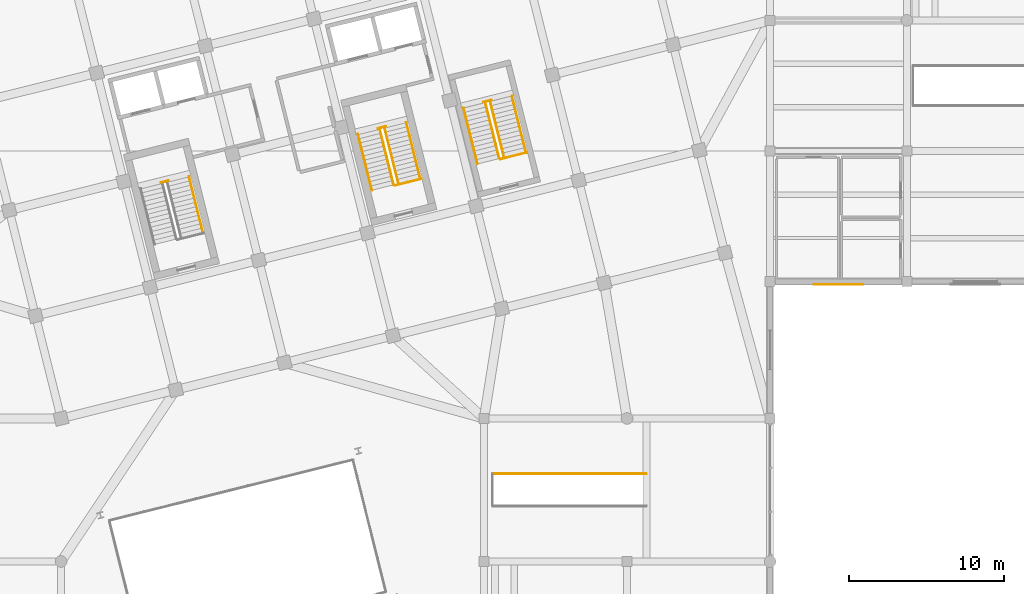
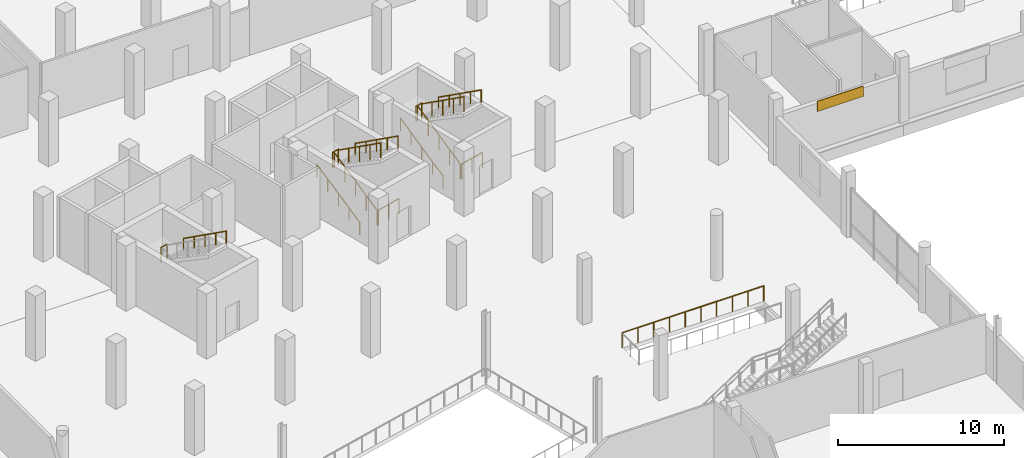
# One storey, part 69 of 71: 15 railings, 1 covering.
"""IFC4 building model written with IfcOpenShell, lengths in metres."""

from ifc_helpers import new_model, si_unit, direction, frame, origin, origin_2d, place, context, subcontext, project, spatial, rectangle, circle, extrude, material, layer, layer_set, type_object, element, save


model = new_model("IFC4")

# Units and contexts
model_context = context("Model", 3, precision=1e-05, world=origin(), true_north=direction((0.0, 1.0)))
body_context = subcontext(model_context, "Body", "Model", "MODEL_VIEW")
ifc_project = project(units=[si_unit("LENGTHUNIT", "METRE"), si_unit("AREAUNIT", "SQUARE_METRE"), si_unit("VOLUMEUNIT", "CUBIC_METRE"), si_unit("PLANEANGLEUNIT", "RADIAN"), si_unit("MASSUNIT", "GRAM", prefix="KILO")], contexts=[model_context])

# Site, building, storey
site_placement = place(None, origin())
site = spatial("IfcSite", under=ifc_project, at=site_placement, CompositionType="ELEMENT")
building_placement = place(site_placement, origin())
building = spatial("IfcBuilding", under=site, at=building_placement, Name="Meriwether Solvik Hall", CompositionType="ELEMENT")
storey_placement = place(building_placement, frame((0.0, 0.0, 5.10009765625)))
storey = spatial("IfcBuildingStorey", under=building, at=storey_placement, Name="L01", CompositionType="ELEMENT", Elevation=5.10009765625)

# Covering
ifc_material_1 = material(Name="Glazed Extruded Terracotta Ceramic", Category="masonry")
ifc_layer_1 = layer(ifc_material_1, 0.044921875)
ifc_layer_set_1 = layer_set([ifc_layer_1], Name="Glazed Extruded Terracotta Ceramic")
covering_type = type_object("IfcCoveringType", Name="COV-CLAD-TERRA", PredefinedType="CLADDING", material=ifc_layer_set_1)
covering_placement = place(storey_placement, frame((118.60009765625, 49.8125, 2.809814453125), z_axis=(0.0, 0.0, 1.0), x_axis=(-1.0, 0.0, 0.0)))
element("IfcCovering", 1, at=covering_placement, inside=storey, type_object=covering_type, Name="L01 Facade Cladding XF_13_12", PredefinedType="CLADDING", context=body_context, shape_type="SweptSolid", body=[
    extrude(rectangle(XDim=3.199951171875, YDim=0.044921875, at=origin_2d()), origin(), (0.0, 0.0, 1.0), 0.75),
])

# Railings
ifc_material_2 = material(Name="Steel A36 Galvanised", Category="steel")
ifc_layer_2 = layer(ifc_material_2, 0.054931640625)
ifc_layer_set_2 = layer_set([ifc_layer_2], Name="Steel A36 Galvanised")
railing_type_1 = type_object("IfcRailingType", Name="RAIL-STR-GUARD", PredefinedType="GUARDRAIL", material=ifc_layer_set_2)
railing_1_placement = place(storey_placement, frame((75.02099609375, 56.368896484375, 2.39990234375)))
element("IfcRailing", 2, at=railing_1_placement, inside=storey, type_object=railing_type_1, Name="Stair ST-01 Landing Guardrail (L01)", PredefinedType="GUARDRAIL", context=body_context, shape_type="SweptSolid", body=[
    extrude(circle(Radius=0.02392578125, at=origin_2d()), frame((0.0, 0.0, 1.09619140625), z_axis=(0.970228607419, 0.242190935722, 0.0), x_axis=(-0.242190935722, 0.970228607419, 0.0)), (0.0, 0.0, 1.0), 0.5),
    extrude(circle(Radius=0.02099609375, at=origin_2d()), origin(), (0.0, 0.0, 1.0), 1.072021484375),
    extrude(circle(Radius=0.02099609375, at=origin_2d()), frame((0.485107421875, 0.12109375, 0.0)), (0.0, 0.0, 1.0), 1.072021484375),
])
railing_2_placement = place(storey_placement, frame((88.9931640625, 59.8525390625, 2.39990234375)))
element("IfcRailing", 3, at=railing_2_placement, inside=storey, type_object=railing_type_1, Name="Stair ST-02 Landing Guardrail (L01)", PredefinedType="GUARDRAIL", context=body_context, shape_type="SweptSolid", body=[
    extrude(circle(Radius=0.02392578125, at=origin_2d()), frame((0.0, 0.0, 1.09619140625), z_axis=(0.970257228329, 0.242076250126, 0.0), x_axis=(-0.242076250126, 0.970257228329, 0.0)), (0.0, 0.0, 1.0), 0.500244140625),
    extrude(circle(Radius=0.02099609375, at=origin_2d()), origin(), (0.0, 0.0, 1.0), 1.072021484375),
    extrude(circle(Radius=0.02099609375, at=origin_2d()), frame((0.4853515625, 0.12109375, 0.0)), (0.0, 0.0, 1.0), 1.072021484375),
])
railing_3_placement = place(storey_placement, frame((90.064208984375, 56.177490234375, 0.0)))
element("IfcRailing", 4, at=railing_3_placement, inside=storey, type_object=railing_type_1, Name="Stair ST-02 Well Guardrail (L01)", PredefinedType="GUARDRAIL", context=body_context, shape_type="SweptSolid", body=[
    extrude(circle(Radius=0.02392578125, at=origin_2d()), frame((0.0, 0.0, 1.09619140625), z_axis=(0.970298223594, 0.241911879182, 0.0), x_axis=(-0.241911879182, 0.970298223594, 0.0)), (0.0, 0.0, 1.0), 1.75),
    extrude(circle(Radius=0.02099609375, at=origin_2d()), origin(), (0.0, 0.0, 1.0), 1.072021484375),
    extrude(circle(Radius=0.02099609375, at=origin_2d()), frame((0.84912109375, 0.211669921875, 0.0)), (0.0, 0.0, 1.0), 1.072021484375),
    extrude(circle(Radius=0.02099609375, at=origin_2d()), frame((1.697998046875, 0.42333984375, 0.0)), (0.0, 0.0, 1.0), 1.072021484375),
])
railing_4_placement = place(storey_placement, frame((89.991455078125, 56.22119140625, 0.0)))
element("IfcRailing", 5, at=railing_4_placement, inside=storey, type_object=railing_type_1, Name="Stair ST-02 Flight 1 Inner Guardrail (L01)", PredefinedType="GUARDRAIL", context=body_context, shape_type="SweptSolid", body=[
    extrude(circle(Radius=0.02392578125, at=origin_2d()), frame((0.0, 0.0, 1.09619140625), z_axis=(-0.203028258064, 0.814380577499, 0.543657798086), x_axis=(-0.970301214675, -0.241899881771, 0.0)), (0.0, 0.0, 1.0), 4.414306640625),
    extrude(circle(Radius=0.02099609375, at=origin_2d()), origin(), (0.0, 0.0, 1.0), 1.072021484375),
    extrude(circle(Radius=0.02099609375, at=origin_2d()), frame((-0.22412109375, 0.898681640625, 0.60009765625)), (0.0, 0.0, 1.0), 1.072021484375),
    extrude(circle(Radius=0.02099609375, at=origin_2d()), frame((-0.4482421875, 1.79736328125, 1.199951171875)), (0.0, 0.0, 1.0), 1.072021484375),
    extrude(circle(Radius=0.02099609375, at=origin_2d()), frame((-0.672119140625, 2.6962890625, 1.7998046875)), (0.0, 0.0, 1.0), 1.072021484375),
    extrude(circle(Radius=0.02099609375, at=origin_2d()), frame((-0.896240234375, 3.594970703125, 2.39990234375)), (0.0, 0.0, 1.0), 1.072021484375),
])
railing_5_placement = place(storey_placement, frame((89.405517578125, 59.8935546875, 2.39990234375)))
element("IfcRailing", 6, at=railing_5_placement, inside=storey, type_object=railing_type_1, Name="Stair ST-02 Flight 2 Inner Guardrail (L01)", PredefinedType="GUARDRAIL", context=body_context, shape_type="SweptSolid", body=[
    extrude(circle(Radius=0.02392578125, at=origin_2d()), frame((0.0, 0.0, 1.09619140625), z_axis=(0.203081283414, -0.814371431991, 0.543651692799), x_axis=(0.970285746386, 0.241961919235, 0.0)), (0.0, 0.0, 1.0), 4.414306640625),
    extrude(circle(Radius=0.02099609375, at=origin_2d()), origin(), (0.0, 0.0, 1.0), 1.072021484375),
    extrude(circle(Radius=0.02099609375, at=origin_2d()), frame((0.22412109375, -0.898681640625, 0.60009765625)), (0.0, 0.0, 1.0), 1.072021484375),
    extrude(circle(Radius=0.02099609375, at=origin_2d()), frame((0.4482421875, -1.79736328125, 1.199951171875)), (0.0, 0.0, 1.0), 1.072021484375),
    extrude(circle(Radius=0.02099609375, at=origin_2d()), frame((0.67236328125, -2.6962890625, 1.7998046875)), (0.0, 0.0, 1.0), 1.072021484375),
    extrude(circle(Radius=0.02099609375, at=origin_2d()), frame((0.896484375, -3.594970703125, 2.39990234375)), (0.0, 0.0, 1.0), 1.072021484375),
])
railing_6_placement = place(storey_placement, frame((95.785400390625, 61.546142578125, 2.39990234375)))
element("IfcRailing", 7, at=railing_6_placement, inside=storey, type_object=railing_type_1, Name="Stair ST-03 Landing Guardrail (L01)", PredefinedType="GUARDRAIL", context=body_context, shape_type="SweptSolid", body=[
    extrude(circle(Radius=0.02392578125, at=origin_2d()), frame((0.0, 0.0, 1.09619140625), z_axis=(0.970343250308, 0.241731207299, 0.0), x_axis=(-0.241731207299, 0.970343250308, 0.0)), (0.0, 0.0, 1.0), 0.5),
    extrude(circle(Radius=0.02099609375, at=origin_2d()), origin(), (0.0, 0.0, 1.0), 1.072021484375),
    extrude(circle(Radius=0.02099609375, at=origin_2d()), frame((0.485107421875, 0.120849609375, 0.0)), (0.0, 0.0, 1.0), 1.072021484375),
])
railing_7_placement = place(storey_placement, frame((96.856201171875, 57.87109375, 0.0)))
element("IfcRailing", 8, at=railing_7_placement, inside=storey, type_object=railing_type_1, Name="Stair ST-03 Well Guardrail (L01)", PredefinedType="GUARDRAIL", context=body_context, shape_type="SweptSolid", body=[
    extrude(circle(Radius=0.02392578125, at=origin_2d()), frame((0.0, 0.0, 1.09619140625), z_axis=(0.970298223594, 0.241911879182, 0.0), x_axis=(-0.241911879182, 0.970298223594, 0.0)), (0.0, 0.0, 1.0), 1.75),
    extrude(circle(Radius=0.02099609375, at=origin_2d()), origin(), (0.0, 0.0, 1.0), 1.072021484375),
    extrude(circle(Radius=0.02099609375, at=origin_2d()), frame((0.84912109375, 0.211669921875, 0.0)), (0.0, 0.0, 1.0), 1.072021484375),
    extrude(circle(Radius=0.02099609375, at=origin_2d()), frame((1.697998046875, 0.42333984375, 0.0)), (0.0, 0.0, 1.0), 1.072021484375),
])
railing_8_placement = place(storey_placement, frame((96.783447265625, 57.914794921875, 0.0)))
element("IfcRailing", 9, at=railing_8_placement, inside=storey, type_object=railing_type_1, Name="Stair ST-03 Flight 1 Inner Guardrail (L01)", PredefinedType="GUARDRAIL", context=body_context, shape_type="SweptSolid", body=[
    extrude(circle(Radius=0.02392578125, at=origin_2d()), frame((0.0, 0.0, 1.09619140625), z_axis=(-0.203028258064, 0.814380577499, 0.543657798086), x_axis=(-0.970301214675, -0.241899881771, 0.0)), (0.0, 0.0, 1.0), 4.414306640625),
    extrude(circle(Radius=0.02099609375, at=origin_2d()), origin(), (0.0, 0.0, 1.0), 1.072021484375),
    extrude(circle(Radius=0.02099609375, at=origin_2d()), frame((-0.22412109375, 0.898681640625, 0.60009765625)), (0.0, 0.0, 1.0), 1.072021484375),
    extrude(circle(Radius=0.02099609375, at=origin_2d()), frame((-0.4482421875, 1.79736328125, 1.199951171875)), (0.0, 0.0, 1.0), 1.072021484375),
    extrude(circle(Radius=0.02099609375, at=origin_2d()), frame((-0.672119140625, 2.6962890625, 1.7998046875)), (0.0, 0.0, 1.0), 1.072021484375),
    extrude(circle(Radius=0.02099609375, at=origin_2d()), frame((-0.896240234375, 3.594970703125, 2.39990234375)), (0.0, 0.0, 1.0), 1.072021484375),
])
railing_9_placement = place(storey_placement, frame((96.19775390625, 61.587158203125, 2.39990234375)))
element("IfcRailing", 10, at=railing_9_placement, inside=storey, type_object=railing_type_1, Name="Stair ST-03 Flight 2 Inner Guardrail (L01)", PredefinedType="GUARDRAIL", context=body_context, shape_type="SweptSolid", body=[
    extrude(circle(Radius=0.02392578125, at=origin_2d()), frame((0.0, 0.0, 1.09619140625), z_axis=(0.203028258064, -0.814380577499, 0.543657798086), x_axis=(0.970301214675, 0.241899881771, 0.0)), (0.0, 0.0, 1.0), 4.414306640625),
    extrude(circle(Radius=0.02099609375, at=origin_2d()), origin(), (0.0, 0.0, 1.0), 1.072021484375),
    extrude(circle(Radius=0.02099609375, at=origin_2d()), frame((0.22412109375, -0.898681640625, 0.60009765625)), (0.0, 0.0, 1.0), 1.072021484375),
    extrude(circle(Radius=0.02099609375, at=origin_2d()), frame((0.4482421875, -1.79736328125, 1.199951171875)), (0.0, 0.0, 1.0), 1.072021484375),
    extrude(circle(Radius=0.02099609375, at=origin_2d()), frame((0.672119140625, -2.6962890625, 1.7998046875)), (0.0, 0.0, 1.0), 1.072021484375),
    extrude(circle(Radius=0.02099609375, at=origin_2d()), frame((0.896240234375, -3.594970703125, 2.39990234375)), (0.0, 0.0, 1.0), 1.072021484375),
])
railing_10_placement = place(storey_placement, frame((96.3720703125, 37.639892578125, 0.0)))
element("IfcRailing", 11, at=railing_10_placement, inside=storey, type_object=railing_type_1, Name="Stair ST-AT1 Arrival Well Guardrail (L01) 3", PredefinedType="GUARDRAIL", context=body_context, shape_type="SweptSolid", body=[
    extrude(circle(Radius=0.02392578125, at=origin_2d()), frame((0.0, 0.0, 1.09619140625), z_axis=(1.0, 0.0, 0.0), x_axis=(0.0, 1.0, 0.0)), (0.0, 0.0, 1.0), 9.867919921875),
    extrude(circle(Radius=0.02099609375, at=origin_2d()), origin(), (0.0, 0.0, 1.0), 1.072021484375),
    extrude(circle(Radius=0.02099609375, at=origin_2d()), frame((1.096435546875, 0.0, 0.0)), (0.0, 0.0, 1.0), 1.072021484375),
    extrude(circle(Radius=0.02099609375, at=origin_2d()), frame((2.19287109375, 0.0, 0.0)), (0.0, 0.0, 1.0), 1.072021484375),
    extrude(circle(Radius=0.02099609375, at=origin_2d()), frame((3.289306640625, 0.0, 0.0)), (0.0, 0.0, 1.0), 1.072021484375),
    extrude(circle(Radius=0.02099609375, at=origin_2d()), frame((4.3857421875, 0.0, 0.0)), (0.0, 0.0, 1.0), 1.072021484375),
    extrude(circle(Radius=0.02099609375, at=origin_2d()), frame((5.482177734375, 0.0, 0.0)), (0.0, 0.0, 1.0), 1.072021484375),
    extrude(circle(Radius=0.02099609375, at=origin_2d()), frame((6.57861328125, 0.0, 0.0)), (0.0, 0.0, 1.0), 1.072021484375),
    extrude(circle(Radius=0.02099609375, at=origin_2d()), frame((7.675048828125, 0.0, 0.0)), (0.0, 0.0, 1.0), 1.072021484375),
    extrude(circle(Radius=0.02099609375, at=origin_2d()), frame((8.771484375, 0.0, 0.0)), (0.0, 0.0, 1.0), 1.072021484375),
    extrude(circle(Radius=0.02099609375, at=origin_2d()), frame((9.867919921875, 0.0, 0.0)), (0.0, 0.0, 1.0), 1.072021484375),
])
ifc_material_3 = material(Name="Stainless Steel AISI 316", Category="steel")
ifc_layer_3 = layer(ifc_material_3, 0.044921875)
ifc_layer_set_3 = layer_set([ifc_layer_3], Name="Stainless Steel AISI 316")
railing_type_2 = type_object("IfcRailingType", Name="RAIL-STR-HAND", PredefinedType="HANDRAIL", material=ifc_layer_set_3)
railing_11_placement = place(storey_placement, frame((76.83056640625, 56.75830078125, 2.39990234375)))
element("IfcRailing", 12, at=railing_11_placement, inside=storey, type_object=railing_type_2, Name="Stair ST-01 Upper Handrail (L01)", PredefinedType="HANDRAIL", context=body_context, shape_type="SweptSolid", body=[
    extrude(circle(Radius=0.02392578125, at=origin_2d()), frame((0.0, 0.0, 0.89599609375), z_axis=(0.203029274941, -0.814380956244, 0.543656850985), x_axis=(0.970300956706, 0.241900916524, 0.0)), (0.0, 0.0, 1.0), 4.421630859375),
    extrude(circle(Radius=0.02099609375, at=origin_2d()), origin(), (0.0, 0.0, 1.0), 0.871826171875),
    extrude(circle(Radius=0.02099609375, at=origin_2d()), frame((0.224365234375, -0.900146484375, 0.60107421875)), (0.0, 0.0, 1.0), 0.871826171875),
    extrude(circle(Radius=0.02099609375, at=origin_2d()), frame((0.44873046875, -1.80029296875, 1.201904296875)), (0.0, 0.0, 1.0), 0.871826171875),
    extrude(circle(Radius=0.02099609375, at=origin_2d()), frame((0.67333984375, -2.70068359375, 1.802734375)), (0.0, 0.0, 1.0), 0.871826171875),
    extrude(circle(Radius=0.02099609375, at=origin_2d()), frame((0.897705078125, -3.600830078125, 2.40380859375)), (0.0, 0.0, 1.0), 0.871826171875),
])
railing_12_placement = place(storey_placement, frame((88.59423828125, 55.872802734375, 0.0)))
element("IfcRailing", 13, at=railing_12_placement, inside=storey, type_object=railing_type_2, Name="Stair ST-02 Lower Handrail (L01)", PredefinedType="HANDRAIL", context=body_context, shape_type="SweptSolid", body=[
    extrude(circle(Radius=0.02392578125, at=origin_2d()), frame((0.0, 0.0, 0.89599609375), z_axis=(-0.203029274941, 0.814380956244, 0.543656850985), x_axis=(-0.970300956706, -0.241900916524, 0.0)), (0.0, 0.0, 1.0), 4.421630859375),
    extrude(circle(Radius=0.02099609375, at=origin_2d()), origin(), (0.0, 0.0, 1.0), 0.871826171875),
    extrude(circle(Radius=0.02099609375, at=origin_2d()), frame((-0.224365234375, 0.900146484375, 0.60107421875)), (0.0, 0.0, 1.0), 0.871826171875),
    extrude(circle(Radius=0.02099609375, at=origin_2d()), frame((-0.44873046875, 1.80029296875, 1.201904296875)), (0.0, 0.0, 1.0), 0.871826171875),
    extrude(circle(Radius=0.02099609375, at=origin_2d()), frame((-0.67333984375, 2.70068359375, 1.802734375)), (0.0, 0.0, 1.0), 0.871826171875),
    extrude(circle(Radius=0.02099609375, at=origin_2d()), frame((-0.897705078125, 3.600830078125, 2.40380859375)), (0.0, 0.0, 1.0), 0.871826171875),
])
railing_13_placement = place(storey_placement, frame((90.802734375, 60.241943359375, 2.39990234375)))
element("IfcRailing", 14, at=railing_13_placement, inside=storey, type_object=railing_type_2, Name="Stair ST-02 Upper Handrail (L01)", PredefinedType="HANDRAIL", context=body_context, shape_type="SweptSolid", body=[
    extrude(circle(Radius=0.02392578125, at=origin_2d()), frame((0.0, 0.0, 0.89599609375), z_axis=(0.203091346083, -0.814353227848, 0.543675202156), x_axis=(0.970281661625, 0.241978298851, 0.0)), (0.0, 0.0, 1.0), 4.42138671875),
    extrude(circle(Radius=0.02099609375, at=origin_2d()), origin(), (0.0, 0.0, 1.0), 0.871826171875),
    extrude(circle(Radius=0.02099609375, at=origin_2d()), frame((0.224609375, -0.900146484375, 0.60107421875)), (0.0, 0.0, 1.0), 0.871826171875),
    extrude(circle(Radius=0.02099609375, at=origin_2d()), frame((0.448974609375, -1.80029296875, 1.201904296875)), (0.0, 0.0, 1.0), 0.871826171875),
    extrude(circle(Radius=0.02099609375, at=origin_2d()), frame((0.67333984375, -2.700439453125, 1.802734375)), (0.0, 0.0, 1.0), 0.871826171875),
    extrude(circle(Radius=0.02099609375, at=origin_2d()), frame((0.89794921875, -3.6005859375, 2.40380859375)), (0.0, 0.0, 1.0), 0.871826171875),
])
railing_14_placement = place(storey_placement, frame((95.38623046875, 57.56640625, 0.0)))
element("IfcRailing", 15, at=railing_14_placement, inside=storey, type_object=railing_type_2, Name="Stair ST-03 Lower Handrail (L01)", PredefinedType="HANDRAIL", context=body_context, shape_type="SweptSolid", body=[
    extrude(circle(Radius=0.02392578125, at=origin_2d()), frame((0.0, 0.0, 0.89599609375), z_axis=(-0.203038404838, 0.81436235914, 0.543681298352), x_axis=(-0.970297106708, -0.241916358921, 0.0)), (0.0, 0.0, 1.0), 4.42138671875),
    extrude(circle(Radius=0.02099609375, at=origin_2d()), origin(), (0.0, 0.0, 1.0), 0.871826171875),
    extrude(circle(Radius=0.02099609375, at=origin_2d()), frame((-0.224365234375, 0.900146484375, 0.60107421875)), (0.0, 0.0, 1.0), 0.871826171875),
    extrude(circle(Radius=0.02099609375, at=origin_2d()), frame((-0.44873046875, 1.80029296875, 1.201904296875)), (0.0, 0.0, 1.0), 0.871826171875),
    extrude(circle(Radius=0.02099609375, at=origin_2d()), frame((-0.67333984375, 2.700439453125, 1.802734375)), (0.0, 0.0, 1.0), 0.871826171875),
    extrude(circle(Radius=0.02099609375, at=origin_2d()), frame((-0.897705078125, 3.6005859375, 2.40380859375)), (0.0, 0.0, 1.0), 0.871826171875),
])
railing_15_placement = place(storey_placement, frame((97.594970703125, 61.935546875, 2.39990234375)))
element("IfcRailing", 16, at=railing_15_placement, inside=storey, type_object=railing_type_2, Name="Stair ST-03 Upper Handrail (L01)", PredefinedType="HANDRAIL", context=body_context, shape_type="SweptSolid", body=[
    extrude(circle(Radius=0.02392578125, at=origin_2d()), frame((0.0, 0.0, 0.89599609375), z_axis=(0.203029274941, -0.814380956244, 0.543656850985), x_axis=(0.970300956706, 0.241900916524, 0.0)), (0.0, 0.0, 1.0), 4.421630859375),
    extrude(circle(Radius=0.02099609375, at=origin_2d()), origin(), (0.0, 0.0, 1.0), 0.871826171875),
    extrude(circle(Radius=0.02099609375, at=origin_2d()), frame((0.224365234375, -0.900146484375, 0.60107421875)), (0.0, 0.0, 1.0), 0.871826171875),
    extrude(circle(Radius=0.02099609375, at=origin_2d()), frame((0.44873046875, -1.80029296875, 1.201904296875)), (0.0, 0.0, 1.0), 0.871826171875),
    extrude(circle(Radius=0.02099609375, at=origin_2d()), frame((0.67333984375, -2.70068359375, 1.802734375)), (0.0, 0.0, 1.0), 0.871826171875),
    extrude(circle(Radius=0.02099609375, at=origin_2d()), frame((0.897705078125, -3.600830078125, 2.40380859375)), (0.0, 0.0, 1.0), 0.871826171875),
])

save(model, "model.ifc")
